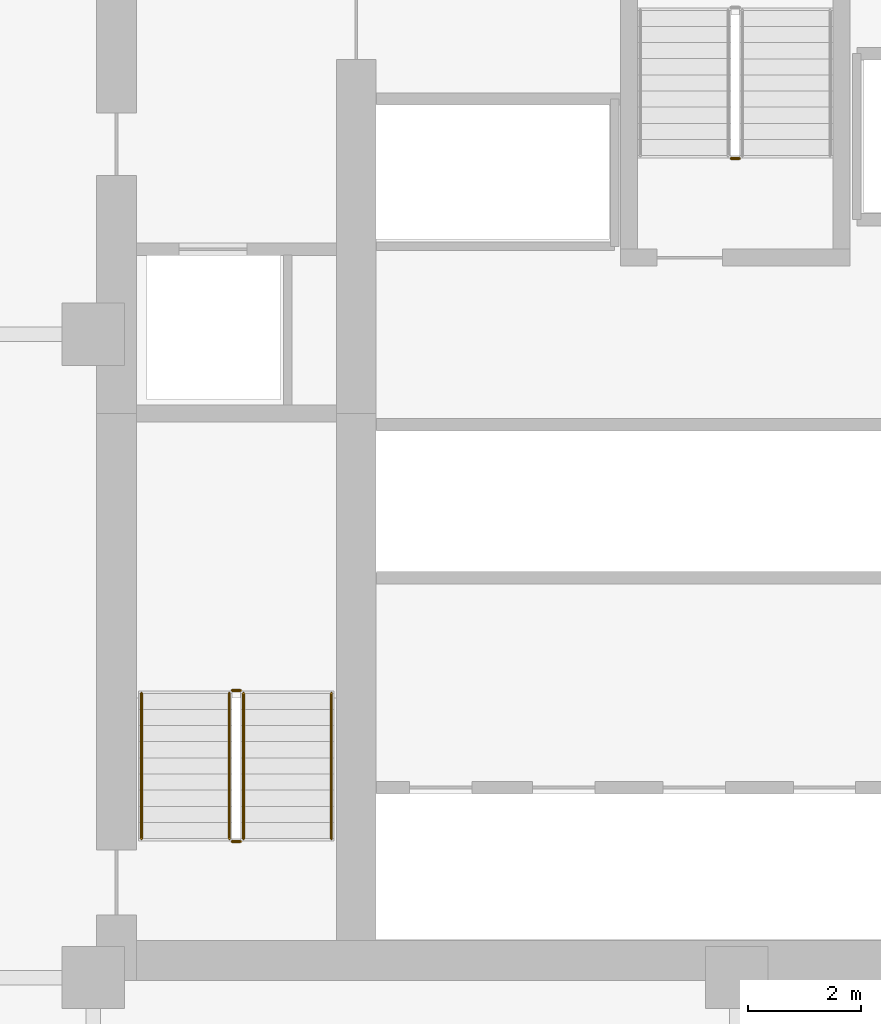
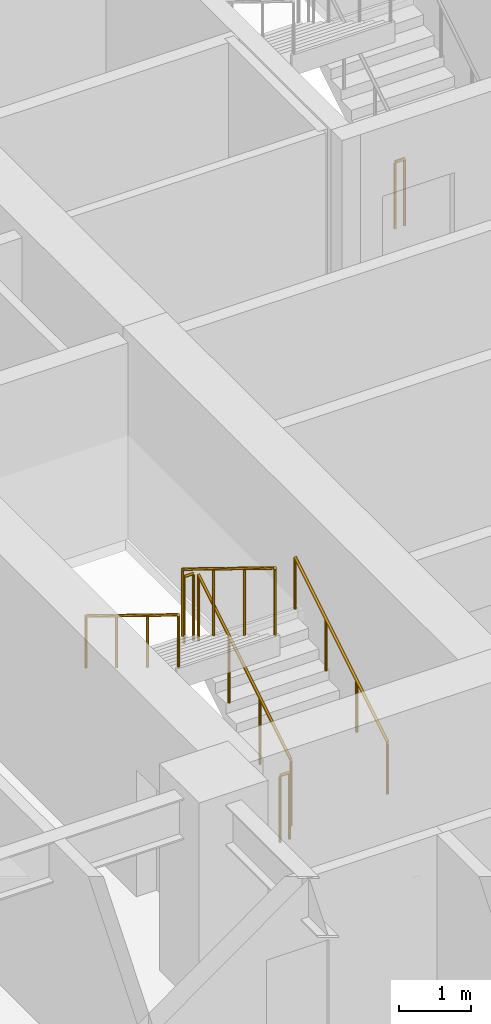
# One storey, part 9 of 12: 7 railings.
"""IFC4 building model written with IfcOpenShell, lengths in metres."""

from ifc_helpers import new_model, si_unit, direction, frame, origin, origin_2d, place, context, subcontext, project, spatial, circle, extrude, material, type_object, element, save


model = new_model("IFC4")

# Units and contexts
model_context = context("Model", 3, precision=1e-05, world=origin(), true_north=direction((0.0, 1.0)))
body_context = subcontext(model_context, "Body", "Model", "MODEL_VIEW")
ifc_project = project(units=[si_unit("LENGTHUNIT", "METRE"), si_unit("AREAUNIT", "SQUARE_METRE"), si_unit("VOLUMEUNIT", "CUBIC_METRE"), si_unit("PLANEANGLEUNIT", "RADIAN"), si_unit("MASSUNIT", "GRAM", prefix="KILO")], contexts=[model_context])

# Site, building, storey
site_placement = place(None, origin())
site = spatial("IfcSite", under=ifc_project, at=site_placement, CompositionType="ELEMENT")
building_placement = place(site_placement, origin())
building = spatial("IfcBuilding", under=site, at=building_placement, Name="Nhamokura Convention Tower", CompositionType="ELEMENT")
storey_placement = place(building_placement, frame((0.0, 0.0, 49.35009765625)))
storey = spatial("IfcBuildingStorey", under=building, at=storey_placement, Name="L10", CompositionType="ELEMENT", Elevation=49.35009765625)

# Railings
ifc_material_1 = material(Name="Anodised bronze stainless steel", Category="steel")
railing_type_1 = type_object("IfcRailingType", Name="StairWallHandrail_900", PredefinedType="HANDRAIL", material=ifc_material_1)
railing_1_placement = place(storey_placement, frame((24.85009765625, 23.10009765625, 0.1748046875)))
element("IfcRailing", 1, at=railing_1_placement, inside=storey, type_object=railing_type_1, Name="L10 ST-01 stair handrail 1", PredefinedType="HANDRAIL", context=body_context, shape_type="SweptSolid", body=[
    extrude(circle(Radius=0.02392578125, at=origin_2d()), frame((0.0, 0.0, 0.8759765625), z_axis=(0.0, 0.85213695991, 0.523318833556), x_axis=(-1.0, 0.0, 0.0)), (0.0, 0.0, 1.0), 3.010009765625),
    extrude(circle(Radius=0.02099609375, at=origin_2d()), origin(), (0.0, 0.0, 1.0), 0.851806640625),
    extrude(circle(Radius=0.02099609375, at=origin_2d()), frame((0.0, 0.85498046875, 0.525146484375)), (0.0, 0.0, 1.0), 0.851806640625),
    extrude(circle(Radius=0.02099609375, at=origin_2d()), frame((0.0, 1.7099609375, 1.050048828125)), (0.0, 0.0, 1.0), 0.851806640625),
    extrude(circle(Radius=0.02099609375, at=origin_2d()), frame((0.0, 2.56494140625, 1.5751953125)), (0.0, 0.0, 1.0), 0.851806640625),
])
railing_2_placement = place(storey_placement, frame((21.5, 25.6650390625, 1.9248046875)))
element("IfcRailing", 2, at=railing_2_placement, inside=storey, type_object=railing_type_1, Name="L10 ST-01 stair handrail 2", PredefinedType="HANDRAIL", context=body_context, shape_type="SweptSolid", body=[
    extrude(circle(Radius=0.02392578125, at=origin_2d()), frame((0.0, 0.0, 0.8759765625), z_axis=(0.0, -0.85213695991, 0.523318833556), x_axis=(1.0, 0.0, 0.0)), (0.0, 0.0, 1.0), 3.010009765625),
    extrude(circle(Radius=0.02099609375, at=origin_2d()), origin(), (0.0, 0.0, 1.0), 0.851806640625),
    extrude(circle(Radius=0.02099609375, at=origin_2d()), frame((0.0, -0.85498046875, 0.525146484375)), (0.0, 0.0, 1.0), 0.851806640625),
    extrude(circle(Radius=0.02099609375, at=origin_2d()), frame((0.0, -1.7099609375, 1.050048828125)), (0.0, 0.0, 1.0), 0.851806640625),
    extrude(circle(Radius=0.02099609375, at=origin_2d()), frame((0.0, -2.56494140625, 1.5751953125)), (0.0, 0.0, 1.0), 0.851806640625),
])
ifc_material_2 = material(Name="Painted tubular steel", Category="steel")
railing_type_2 = type_object("IfcRailingType", Name="StairWellGuardrail_1150", PredefinedType="GUARDRAIL", material=ifc_material_2)
railing_3_placement = place(storey_placement, frame((23.300048828125, 23.10009765625, 0.1748046875)))
element("IfcRailing", 3, at=railing_3_placement, inside=storey, type_object=railing_type_2, Name="L10 ST-01 stair guard 1", PredefinedType="GUARDRAIL", context=body_context, shape_type="SweptSolid", body=[
    extrude(circle(Radius=0.02392578125, at=origin_2d()), frame((0.0, 0.0, 1.1259765625), z_axis=(0.0, 0.85213695991, 0.523318833556), x_axis=(-1.0, 0.0, 0.0)), (0.0, 0.0, 1.0), 3.010009765625),
    extrude(circle(Radius=0.02099609375, at=origin_2d()), origin(), (0.0, 0.0, 1.0), 1.101806640625),
    extrude(circle(Radius=0.02099609375, at=origin_2d()), frame((0.0, 0.85498046875, 0.525146484375)), (0.0, 0.0, 1.0), 1.101806640625),
    extrude(circle(Radius=0.02099609375, at=origin_2d()), frame((0.0, 1.7099609375, 1.050048828125)), (0.0, 0.0, 1.0), 1.101806640625),
    extrude(circle(Radius=0.02099609375, at=origin_2d()), frame((0.0, 2.56494140625, 1.5751953125)), (0.0, 0.0, 1.0), 1.101806640625),
])
railing_4_placement = place(storey_placement, frame((23.25, 25.715087890625, 1.75)))
element("IfcRailing", 4, at=railing_4_placement, inside=storey, type_object=railing_type_2, Name="L10 ST-01 stair guard 2", PredefinedType="GUARDRAIL", context=body_context, shape_type="SweptSolid", body=[
    extrude(circle(Radius=0.02392578125, at=origin_2d()), frame((0.0, 0.0, 1.1259765625), z_axis=(-1.0, 0.0, 0.0), x_axis=(0.0, -1.0, 0.0)), (0.0, 0.0, 1.0), 0.14990234375),
    extrude(circle(Radius=0.02099609375, at=origin_2d()), origin(), (0.0, 0.0, 1.0), 1.101806640625),
    extrude(circle(Radius=0.02099609375, at=origin_2d()), frame((-0.14990234375, 0.0, 0.0)), (0.0, 0.0, 1.0), 1.101806640625),
])
railing_5_placement = place(storey_placement, frame((23.050048828125, 25.6650390625, 1.9248046875)))
element("IfcRailing", 5, at=railing_5_placement, inside=storey, type_object=railing_type_2, Name="L10 ST-01 stair guard 3", PredefinedType="GUARDRAIL", context=body_context, shape_type="SweptSolid", body=[
    extrude(circle(Radius=0.02392578125, at=origin_2d()), frame((0.0, 0.0, 1.1259765625), z_axis=(0.0, -0.85213695991, 0.523318833556), x_axis=(1.0, 0.0, 0.0)), (0.0, 0.0, 1.0), 3.010009765625),
    extrude(circle(Radius=0.02099609375, at=origin_2d()), origin(), (0.0, 0.0, 1.0), 1.101806640625),
    extrude(circle(Radius=0.02099609375, at=origin_2d()), frame((0.0, -0.85498046875, 0.525146484375)), (0.0, 0.0, 1.0), 1.101806640625),
    extrude(circle(Radius=0.02099609375, at=origin_2d()), frame((0.0, -1.7099609375, 1.050048828125)), (0.0, 0.0, 1.0), 1.101806640625),
    extrude(circle(Radius=0.02099609375, at=origin_2d()), frame((0.0, -2.56494140625, 1.5751953125)), (0.0, 0.0, 1.0), 1.101806640625),
])
railing_6_placement = place(storey_placement, frame((23.25, 23.050048828125, 0.0)))
element("IfcRailing", 6, at=railing_6_placement, inside=storey, type_object=railing_type_2, Name="L10 ST-01 stair guard 4", PredefinedType="GUARDRAIL", context=body_context, shape_type="SweptSolid", body=[
    extrude(circle(Radius=0.02392578125, at=origin_2d()), frame((0.0, 0.0, 1.1259765625), z_axis=(-1.0, 0.0, 0.0), x_axis=(0.0, -1.0, 0.0)), (0.0, 0.0, 1.0), 0.14990234375),
    extrude(circle(Radius=0.02099609375, at=origin_2d()), origin(), (0.0, 0.0, 1.0), 1.101806640625),
    extrude(circle(Radius=0.02099609375, at=origin_2d()), frame((-0.14990234375, 0.0, 0.0)), (0.0, 0.0, 1.0), 1.101806640625),
])
railing_7_placement = place(storey_placement, frame((32.050048828125, 35.10009765625, 0.0)))
element("IfcRailing", 7, at=railing_7_placement, inside=storey, type_object=railing_type_2, Name="L10 ST-03 stair guard 4", PredefinedType="GUARDRAIL", context=body_context, shape_type="SweptSolid", body=[
    extrude(circle(Radius=0.02392578125, at=origin_2d()), frame((0.0, 0.0, 1.1259765625), z_axis=(-1.0, 0.0, 0.0), x_axis=(0.0, -1.0, 0.0)), (0.0, 0.0, 1.0), 0.150146484375),
    extrude(circle(Radius=0.02099609375, at=origin_2d()), origin(), (0.0, 0.0, 1.0), 1.101806640625),
    extrude(circle(Radius=0.02099609375, at=origin_2d()), frame((-0.150146484375, 0.0, 0.0)), (0.0, 0.0, 1.0), 1.101806640625),
])

save(model, "model.ifc")
